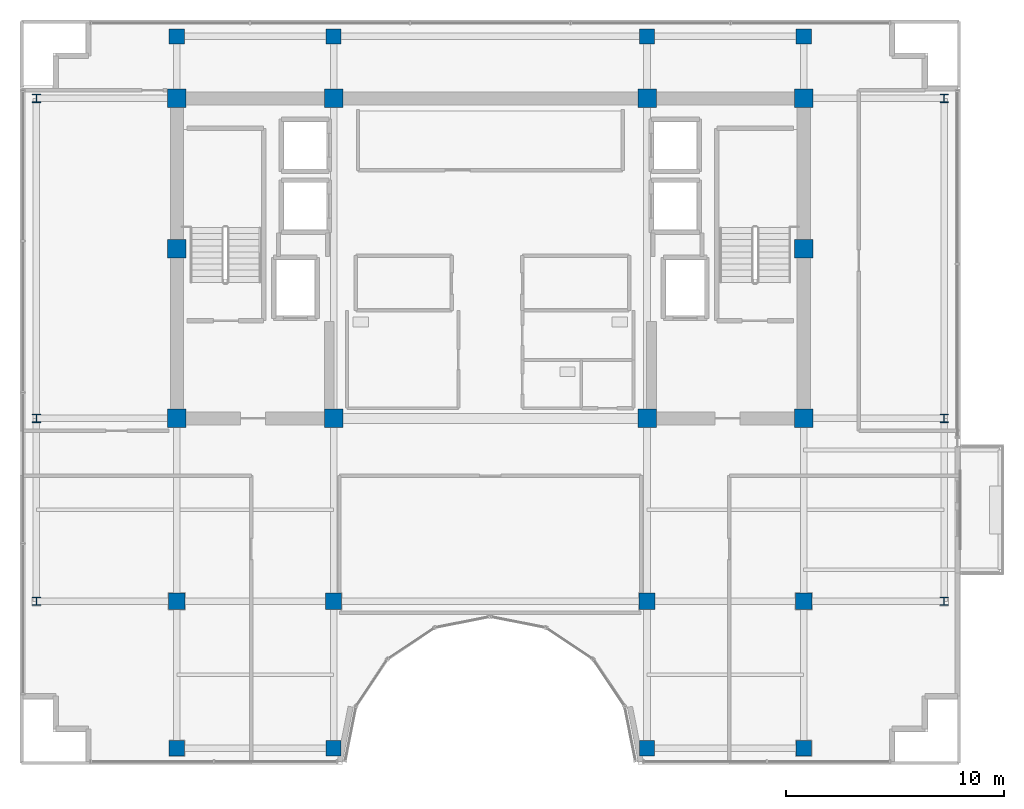
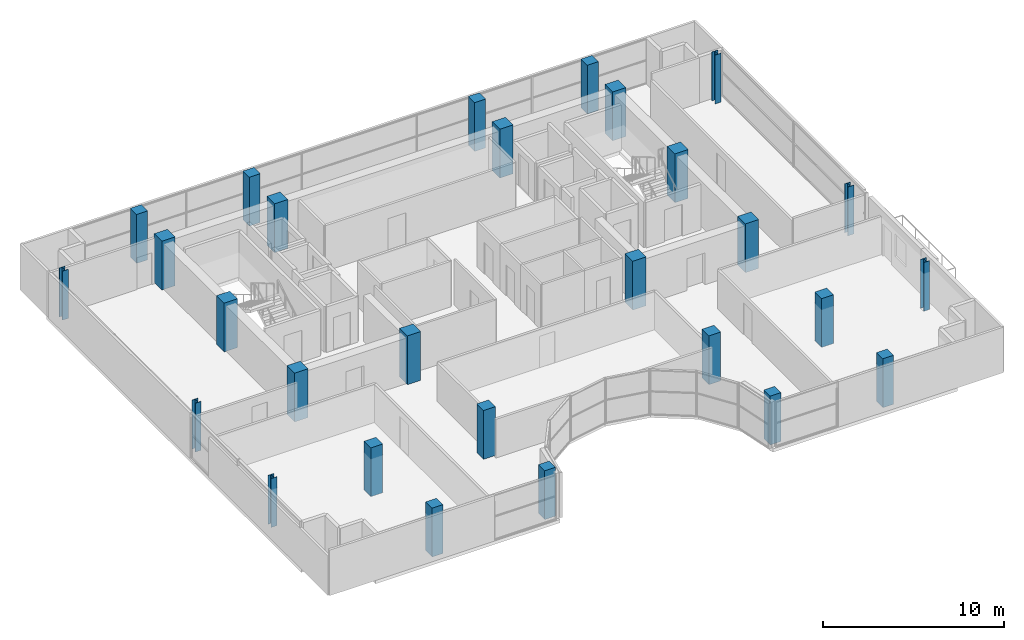
# One storey, part 1 of 29: 28 columns.
"""IFC4 building model written with IfcOpenShell, lengths in metres."""

import ifcopenshell
import ifcopenshell.guid

model = None  # the IFC model being written
_history = None  # IfcOwnerHistory: only IFC2X3 demands one
_inside = {}  # id of a spatial element -> (the spatial element, [elements in it])
_under = {}  # id of a project, library or spatial element -> (it, [spatial elements below it])
_declared = {}  # id of a project -> (the project, [libraries it declares])
_typed = {}  # id of a type object -> (the type object, [elements of that type])
_made_of = {}  # id of a material, layer set ... -> (it, [elements and type objects made of it])


def new_model(schema):
    """Start an empty IFC model of exactly this schema.

    Asked for "IFC4X3", IfcOpenShell would pick the latest addendum, in which some entities
    have other attributes; the version numbers below select the first issue.
    IFC2X3 requires an IfcOwnerHistory on every rooted entity: one is made here for all.
    """
    global model, _history
    if schema == "IFC4X3":
        model = ifcopenshell.file(schema_version=(4, 3, 0, 0))
    else:
        model = ifcopenshell.file(schema=schema)
    _inside.clear()
    _under.clear()
    _declared.clear()
    _typed.clear()
    _made_of.clear()
    _history = None
    if model.schema == "IFC2X3":
        org = make("IfcOrganization", Name="unknown")
        user = make(
            "IfcPersonAndOrganization",
            ThePerson=make("IfcPerson", FamilyName="unknown"),
            TheOrganization=org,
        )
        app = make(
            "IfcApplication",
            ApplicationDeveloper=org,
            Version="unknown",
            ApplicationFullName="unknown",
            ApplicationIdentifier="unknown",
        )
        _history = make(
            "IfcOwnerHistory",
            OwningUser=user,
            OwningApplication=app,
            ChangeAction="ADDED",
            CreationDate=0,
        )
    return model


def make(cls, **values):
    """One entity of the class cls with the attributes given. An attribute that is None is left unset."""
    return model.create_entity(
        cls, **{name: value for name, value in values.items() if value is not None}
    )


def rooted(cls, **values):
    """An entity with a GlobalId (a new one), such as an element, a storey or a relation."""
    return make(cls, GlobalId=ifcopenshell.guid.new(), OwnerHistory=_history, **values)


def si_unit(unit_type, name, prefix=None):
    """IfcSIUnit, for example si_unit("LENGTHUNIT", "METRE", prefix="MILLI")."""
    return make("IfcSIUnit", UnitType=unit_type, Prefix=prefix, Name=name)


def assignment(units):
    """IfcUnitAssignment: the units of a project."""
    return None if units is None else make("IfcUnitAssignment", Units=units)


def point(xyz):
    """IfcCartesianPoint."""
    return None if xyz is None else make("IfcCartesianPoint", Coordinates=xyz)


def direction(xyz):
    """IfcDirection."""
    return None if xyz is None else make("IfcDirection", DirectionRatios=xyz)


def frame(location, z_axis=None, x_axis=None):
    """IfcAxis2Placement3D, a coordinate frame: its origin and axes. An axis left out is left unset."""
    return make(
        "IfcAxis2Placement3D",
        Location=point(location),
        Axis=direction(z_axis),
        RefDirection=direction(x_axis),
    )


def frame_2d(location, x_axis=None):
    """IfcAxis2Placement2D, a coordinate frame in the plane: its origin and x axis."""
    return make(
        "IfcAxis2Placement2D", Location=point(location), RefDirection=direction(x_axis)
    )


def origin():
    """The frame at (0, 0, 0) with its axes left unset."""
    return frame((0.0, 0.0, 0.0))


def origin_2d():
    """The frame at (0, 0) in the plane with its x axis left unset."""
    return frame_2d((0.0, 0.0))


def place(relative_to, where):
    """IfcLocalPlacement: puts the frame where relative to a parent placement (None: the world)."""
    return make(
        "IfcLocalPlacement", PlacementRelTo=relative_to, RelativePlacement=where
    )


def context(
    kind, dimensions, precision=None, world=None, true_north=None, identifier=None
):
    """IfcGeometricRepresentationContext, for example the 3D "Model" context."""
    return make(
        "IfcGeometricRepresentationContext",
        ContextIdentifier=identifier,
        ContextType=kind,
        CoordinateSpaceDimension=dimensions,
        Precision=precision,
        WorldCoordinateSystem=world,
        TrueNorth=true_north,
    )


def subcontext(parent, identifier, kind, view, scale=None):
    """IfcGeometricRepresentationSubContext, for example "Body" below "Model"."""
    return make(
        "IfcGeometricRepresentationSubContext",
        ContextIdentifier=identifier,
        ContextType=kind,
        ParentContext=parent,
        TargetScale=scale,
        TargetView=view,
    )


def project(units=None, contexts=None):
    """IfcProject with its units and contexts."""
    return rooted(
        "IfcProject",
        Name="project",
        RepresentationContexts=contexts,
        UnitsInContext=assignment(units),
    )


def spatial(cls, under=None, at=None, **own):
    """A site, building, storey or space (cls), placed at a placement, below another one or the project."""
    s = rooted(cls, ObjectPlacement=at, **own)
    if under is not None:
        _under.setdefault(under.id(), (under, []))[1].append(s)
    return s


def profile(cls, at=None, kind="AREA", **sizes):
    """A parametric profile (cls). Its sizes go by their IFC names, for example OverallWidth=200.0."""
    return make(cls, ProfileType=kind, Position=at, **sizes)


def rectangle(**sizes):
    """IfcRectangleProfileDef."""
    return profile("IfcRectangleProfileDef", **sizes)


def i_section(**sizes):
    """IfcIShapeProfileDef."""
    return profile("IfcIShapeProfileDef", **sizes)


def extrude(swept, where, along, depth):
    """IfcExtrudedAreaSolid: the profile swept, set in the frame where, extruded along a direction by depth."""
    return make(
        "IfcExtrudedAreaSolid",
        SweptArea=swept,
        Position=where,
        ExtrudedDirection=direction(along),
        Depth=depth,
    )


def shape(context_of_items, identifier, shape_type, items):
    """IfcShapeRepresentation: the items that make up one representation, for example the "Body"."""
    return make(
        "IfcShapeRepresentation",
        ContextOfItems=context_of_items,
        RepresentationIdentifier=identifier,
        RepresentationType=shape_type,
        Items=items,
    )


def material(Name=None, Category=None):
    """IfcMaterial."""
    return make("IfcMaterial", Name=Name, Category=Category)


def material_profile(
    of_material, cross_section, Name=None, Category=None, Priority=None
):
    """IfcMaterialProfile: a cross section and its material."""
    return make(
        "IfcMaterialProfile",
        Name=Name,
        Material=of_material,
        Profile=cross_section,
        Priority=Priority,
        Category=Category,
    )


def profile_set(profiles, Name=None, composite=None):
    """IfcMaterialProfileSet."""
    return make(
        "IfcMaterialProfileSet",
        Name=Name,
        MaterialProfiles=profiles,
        CompositeProfile=composite,
    )


def made_of(thing, what):
    """Note that an element or type object is made of a material, layer set ...; save() writes the relation."""
    if what is not None:
        _made_of.setdefault(what.id(), (what, []))[1].append(thing)
    return thing


def type_object(cls, material=None, **own):
    """A type object (cls), such as IfcWallType, which elements share."""
    return made_of(rooted(cls, **own), material)


def element(
    cls,
    number,
    at=None,
    inside=None,
    cuts=None,
    type_object=None,
    material=None,
    context=None,
    identifier="Body",
    shape_type=None,
    held_by="IfcProductDefinitionShape",
    body=None,
    shapes=None,
    **own,
):
    """One element of the class cls, such as IfcWall. Its Tag is "e" and its number.

    at: its placement. inside: the storey or other place that contains it. cuts: it is an
    opening in that element (IfcRelVoidsElement). A single representation is given by context,
    identifier, shape_type and body (its items); several are given by shapes. held_by: the class
    of the entity that holds the representations. save() writes the other relations.
    """
    e = rooted(cls, Tag="e%d" % number, ObjectPlacement=at, **own)
    if body is not None:
        shapes = [shape(context, identifier, shape_type, body)]
    if shapes is not None:
        e.Representation = make(held_by, Representations=shapes)
    if inside is not None:
        _inside.setdefault(inside.id(), (inside, []))[1].append(e)
    if cuts is not None:
        rooted(
            "IfcRelVoidsElement", RelatingBuildingElement=cuts, RelatedOpeningElement=e
        )
    if type_object is not None:
        _typed.setdefault(type_object.id(), (type_object, []))[1].append(e)
    return made_of(e, material)


def aggregate(whole, parts):
    """IfcRelAggregates: a whole, such as a stair, and the parts it consists of."""
    return rooted("IfcRelAggregates", RelatingObject=whole, RelatedObjects=parts)


def save(model, path):
    """Write the relations noted so far, then the file.

    IfcRelAggregates (storeys below a building ...), IfcRelContainedInSpatialStructure (elements
    in a storey), IfcRelDefinesByType, IfcRelAssociatesMaterial and IfcRelDeclares: one each for
    every whole, place, type object, material and project.
    """
    for whole, parts in _under.values():
        aggregate(whole, parts)
    for where, things in _inside.values():
        rooted(
            "IfcRelContainedInSpatialStructure",
            RelatedElements=things,
            RelatingStructure=where,
        )
    for kind, things in _typed.values():
        rooted("IfcRelDefinesByType", RelatedObjects=things, RelatingType=kind)
    for what, things in _made_of.values():
        rooted("IfcRelAssociatesMaterial", RelatedObjects=things, RelatingMaterial=what)
    for by, libraries in _declared.values():
        rooted("IfcRelDeclares", RelatingContext=by, RelatedDefinitions=libraries)
    model.write(path)


model = new_model("IFC4")

# Units and contexts
model_context = context("Model", 3, precision=1e-05, world=origin(), true_north=direction((0.0, 1.0)))
body_context = subcontext(model_context, "Body", "Model", "MODEL_VIEW")
ifc_project = project(units=[si_unit("LENGTHUNIT", "METRE"), si_unit("AREAUNIT", "SQUARE_METRE"), si_unit("VOLUMEUNIT", "CUBIC_METRE"), si_unit("PLANEANGLEUNIT", "RADIAN"), si_unit("MASSUNIT", "GRAM", prefix="KILO")], contexts=[model_context])

# Site, building, storey
site_placement = place(None, origin())
site = spatial("IfcSite", under=ifc_project, at=site_placement, CompositionType="ELEMENT")
building_placement = place(site_placement, origin())
building = spatial("IfcBuilding", under=site, at=building_placement, Name="Zarnakvel Exchange Tower", CompositionType="ELEMENT")
storey_placement = place(building_placement, frame((0.0, 0.0, 265.0)))
storey = spatial("IfcBuildingStorey", under=building, at=storey_placement, Name="L75", CompositionType="ELEMENT", Elevation=265.0)

# Columns
ifc_material_1 = material(Name="Concrete C50/60", Category="concrete")
ifc_material_profile_1 = material_profile(ifc_material_1, rectangle(XDim=0.85009765625, YDim=0.85009765625, at=origin_2d()))
ifc_profile_set_1 = profile_set([ifc_material_profile_1], Name="Concrete C50/60")
column_type_1 = type_object("IfcColumnType", Name="CC-03", PredefinedType="COLUMN", material=ifc_profile_set_1)
for number, where, z_axis, x_axis, name in (
    (1, (-14.39990234375, -1.199951171875, 0.0), (0.0, 0.0, 1.0), (1.0, 0.0, 0.0), "L75 Column C-4D (CC-03)"),
    (2, (-7.199951171875, -1.199951171875, 0.0), (0.0, 0.0, 1.0), (1.0, 0.0, 0.0), "L75 Column C-5D (CC-03)"),
    (3, (7.199951171875, -1.199951171875, 0.0), (0.0, 0.0, 1.0), (1.0, 0.0, 0.0), "L75 Column C-8D (CC-03)"),
    (4, (14.39990234375, -1.199951171875, 0.0), (0.0, 0.0, 1.0), (1.0, 0.0, 0.0), "L75 Column C-9D (CC-03)"),
    (5, (-14.39990234375, 6.60009765625, 0.0), (0.0, 0.0, 1.0), (1.0, 0.0, 0.0), "L75 Column C-4E (CC-03)"),
    (6, (14.39990234375, 6.60009765625, 0.0), (0.0, 0.0, 1.0), (1.0, 0.0, 0.0), "L75 Column C-9E (CC-03)"),
    (7, (-14.39990234375, 13.5, 0.0), (0.0, 0.0, 1.0), (1.0, 0.0, 0.0), "L75 Column C-4F (CC-03)"),
    (8, (-7.199951171875, 13.5, 0.0), (0.0, 0.0, 1.0), (1.0, 0.0, 0.0), "L75 Column C-5F (CC-03)"),
    (9, (7.199951171875, 13.5, 0.0), (0.0, 0.0, 1.0), (1.0, 0.0, 0.0), "L75 Column C-8F (CC-03)"),
    (10, (14.39990234375, 13.5, 0.0), (0.0, 0.0, 1.0), (1.0, 0.0, 0.0), "L75 Column C-9F (CC-03)"),
):
    element("IfcColumn", number, at=place(storey_placement, frame(where, z_axis=z_axis, x_axis=x_axis)), inside=storey, type_object=column_type_1, Name=name, PredefinedType="COLUMN", context=body_context, shape_type="SweptSolid", body=[
        extrude(rectangle(XDim=0.85009765625, YDim=0.85009765625, at=origin_2d()), origin(), (0.0, 0.0, 1.0), 3.300048828125),
    ])
ifc_material_2 = material(Name="Steel S355", Category="steel")
ifc_material_profile_2 = material_profile(ifc_material_2, i_section(OverallWidth=0.374755859375, OverallDepth=0.37451171875, WebThickness=0.0166015625, FlangeThickness=0.027099609375, FilletRadius=0.01513671875, at=origin_2d()))
ifc_profile_set_2 = profile_set([ifc_material_profile_2], Name="Steel S355")
column_type_2 = type_object("IfcColumnType", Name="SC-05", PredefinedType="COLUMN", material=ifc_profile_set_2)
for number, where, z_axis, x_axis, name in (
    (11, (-20.85009765625, -9.60009765625, 0.0), (0.0, 0.0, 1.0), (1.0, 0.0, 0.0), "L75 Column TW-C (SC-05)"),
    (12, (20.85009765625, -9.60009765625, 0.0), (0.0, 0.0, 1.0), (1.0, 0.0, 0.0), "L75 Column TE-C (SC-05)"),
    (13, (-20.85009765625, -1.199951171875, 0.0), (0.0, 0.0, 1.0), (1.0, 0.0, 0.0), "L75 Column TW-D (SC-05)"),
    (14, (20.85009765625, -1.199951171875, 0.0), (0.0, 0.0, 1.0), (1.0, 0.0, 0.0), "L75 Column TE-D (SC-05)"),
    (15, (-20.85009765625, 13.5, 0.0), (0.0, 0.0, 1.0), (1.0, 0.0, 0.0), "L75 Column TW-F (SC-05)"),
    (16, (20.85009765625, 13.5, 0.0), (0.0, 0.0, 1.0), (1.0, 0.0, 0.0), "L75 Column TE-F (SC-05)"),
):
    element("IfcColumn", number, at=place(storey_placement, frame(where, z_axis=z_axis, x_axis=x_axis)), inside=storey, type_object=column_type_2, Name=name, PredefinedType="COLUMN", context=body_context, shape_type="SweptSolid", body=[
        extrude(i_section(OverallWidth=0.374755859375, OverallDepth=0.37451171875, WebThickness=0.0166015625, FlangeThickness=0.027099609375, FilletRadius=0.01513671875, at=origin_2d()), origin(), (0.0, 0.0, 1.0), 3.300048828125),
    ])
ifc_material_profile_3 = material_profile(ifc_material_1, rectangle(XDim=0.75, YDim=0.75, at=origin_2d()))
ifc_profile_set_3 = profile_set([ifc_material_profile_3], Name="Concrete C50/60")
column_type_3 = type_object("IfcColumnType", Name="TC-04", PredefinedType="COLUMN", material=ifc_profile_set_3)
for number, where, z_axis, x_axis, name in (
    (17, (-14.39990234375, -9.60009765625, 0.0), (0.0, 0.0, 1.0), (1.0, 0.0, 0.0), "L75 Column T-4C (TC-04)"),
    (18, (-7.199951171875, -9.60009765625, 0.0), (0.0, 0.0, 1.0), (1.0, 0.0, 0.0), "L75 Column T-5C (TC-04)"),
    (19, (7.199951171875, -9.60009765625, 0.0), (0.0, 0.0, 1.0), (1.0, 0.0, 0.0), "L75 Column T-8C (TC-04)"),
    (20, (14.39990234375, -9.60009765625, 0.0), (0.0, 0.0, 1.0), (1.0, 0.0, 0.0), "L75 Column T-9C (TC-04)"),
):
    element("IfcColumn", number, at=place(storey_placement, frame(where, z_axis=z_axis, x_axis=x_axis)), inside=storey, type_object=column_type_3, Name=name, PredefinedType="COLUMN", context=body_context, shape_type="SweptSolid", body=[
        extrude(rectangle(XDim=0.75, YDim=0.75, at=origin_2d()), origin(), (0.0, 0.0, 1.0), 3.300048828125),
    ])
ifc_material_profile_4 = material_profile(ifc_material_1, rectangle(XDim=0.699951171875, YDim=0.699951171875, at=origin_2d()))
ifc_profile_set_4 = profile_set([ifc_material_profile_4], Name="Concrete C50/60")
column_type_4 = type_object("IfcColumnType", Name="TC-05", PredefinedType="COLUMN", material=ifc_profile_set_4)
for number, where, z_axis, x_axis, name in (
    (21, (-14.39990234375, -16.35009765625, 0.0), (0.0, 0.0, 1.0), (1.0, 0.0, 0.0), "L75 Column TS-4 (TC-05)"),
    (22, (-14.39990234375, 16.35009765625, 0.0), (0.0, 0.0, 1.0), (1.0, 0.0, 0.0), "L75 Column TN-4 (TC-05)"),
    (23, (-7.199951171875, -16.35009765625, 0.0), (0.0, 0.0, 1.0), (1.0, 0.0, 0.0), "L75 Column TS-5 (TC-05)"),
    (24, (-7.199951171875, 16.35009765625, 0.0), (0.0, 0.0, 1.0), (1.0, 0.0, 0.0), "L75 Column TN-5 (TC-05)"),
    (25, (7.199951171875, -16.35009765625, 0.0), (0.0, 0.0, 1.0), (1.0, 0.0, 0.0), "L75 Column TS-8 (TC-05)"),
    (26, (7.199951171875, 16.35009765625, 0.0), (0.0, 0.0, 1.0), (1.0, 0.0, 0.0), "L75 Column TN-8 (TC-05)"),
    (27, (14.39990234375, -16.35009765625, 0.0), (0.0, 0.0, 1.0), (1.0, 0.0, 0.0), "L75 Column TS-9 (TC-05)"),
    (28, (14.39990234375, 16.35009765625, 0.0), (0.0, 0.0, 1.0), (1.0, 0.0, 0.0), "L75 Column TN-9 (TC-05)"),
):
    element("IfcColumn", number, at=place(storey_placement, frame(where, z_axis=z_axis, x_axis=x_axis)), inside=storey, type_object=column_type_4, Name=name, PredefinedType="COLUMN", context=body_context, shape_type="SweptSolid", body=[
        extrude(rectangle(XDim=0.699951171875, YDim=0.699951171875, at=origin_2d()), origin(), (0.0, 0.0, 1.0), 3.300048828125),
    ])

save(model, "model.ifc")
